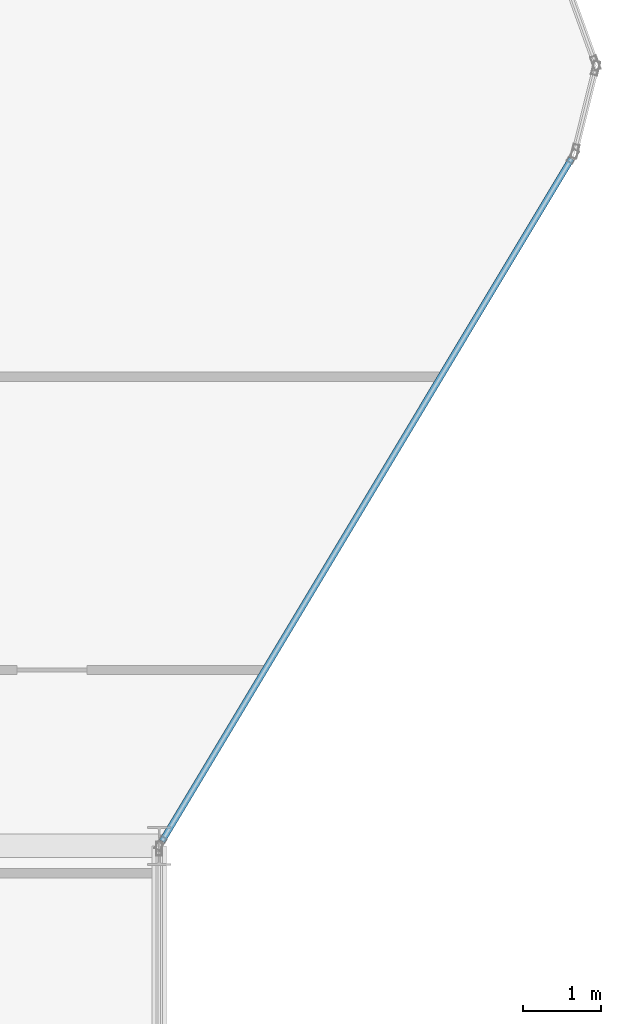
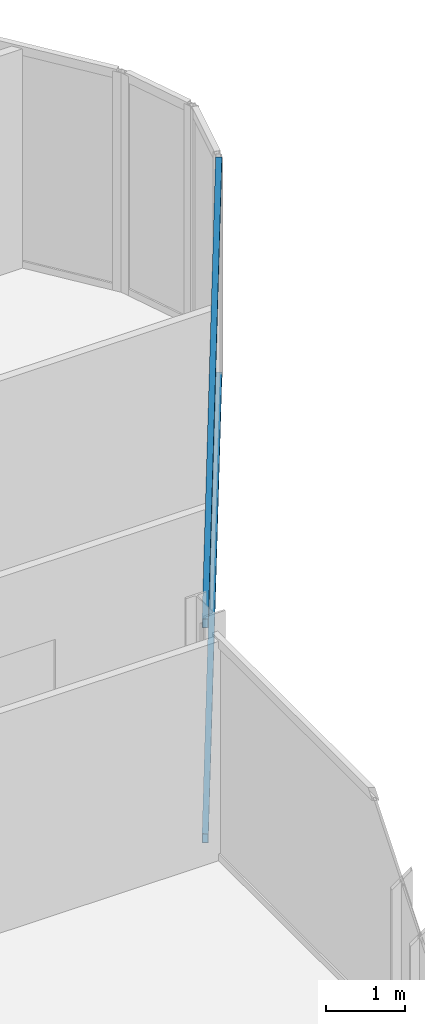
# One storey, part 14 of 32: 2 members, 1 element without a shape of its own.
"""IFC4 building model written with IfcOpenShell, lengths in metres."""

from ifc_helpers import new_model, si_unit, direction, frame, origin, origin_2d, place, context, subcontext, project, spatial, hollow_rectangle, extrude, material, layer, layer_set, material_profile, profile_set, type_object, element, aggregate, save


model = new_model("IFC4")

# Units and contexts
model_context = context("Model", 3, precision=1e-05, world=origin(), true_north=direction((0.0, 1.0)))
body_context = subcontext(model_context, "Body", "Model", "MODEL_VIEW")
ifc_project = project(units=[si_unit("LENGTHUNIT", "METRE"), si_unit("AREAUNIT", "SQUARE_METRE"), si_unit("VOLUMEUNIT", "CUBIC_METRE"), si_unit("PLANEANGLEUNIT", "RADIAN"), si_unit("MASSUNIT", "GRAM", prefix="KILO")], contexts=[model_context])

# Site, building, storey
site_placement = place(None, origin())
site = spatial("IfcSite", under=ifc_project, at=site_placement, CompositionType="ELEMENT")
building_placement = place(site_placement, origin())
building = spatial("IfcBuilding", under=site, at=building_placement, Name="Keshet Zoharim Tower", CompositionType="ELEMENT")
storey_placement = place(building_placement, frame((0.0, 0.0, 152.0)))
storey = spatial("IfcBuildingStorey", under=building, at=storey_placement, Name="L37", CompositionType="ELEMENT", Elevation=152.0)

# Curtain wall, members
ifc_material = material(Name="Aluminium 6063-T6", Category="aluminium")
ifc_layer = layer(ifc_material, 0.159912109375)
ifc_layer_set = layer_set([ifc_layer], Name="Aluminium 6063-T6")
curtain_wall_type = type_object("IfcCurtainWallType", Name="CW-SYS-03", PredefinedType="NOTDEFINED", material=ifc_layer_set)
curtain_wall_placement = place(storey_placement, origin())
curtain_wall = element("IfcCurtainWall", 1, at=curtain_wall_placement, inside=storey, type_object=curtain_wall_type, Name="L37 Unitised Curtain Wall 18", PredefinedType="NOTDEFINED")
ifc_material_profile = material_profile(ifc_material, hollow_rectangle(XDim=0.080078125, YDim=0.139892578125, WallThickness=0.00390625, at=origin_2d()), Name="TRN-80x140")
ifc_profile_set = profile_set([ifc_material_profile], Name="Aluminium 6063-T6")
member_type = type_object("IfcMemberType", Name="CWT-T14", PredefinedType="USERDEFINED", material=ifc_profile_set)
member_1_placement = place(storey_placement, frame((62.27197265625, 36.68701171875, 0.034912109375), z_axis=(-0.514467532827, -0.857509858641, 0.0), x_axis=(0.857509858641, -0.514467532827, 0.0)))
member_1 = element("IfcMember", 2, at=member_1_placement, type_object=member_type, Name="CW-03 transom 1.1", ObjectType="TRANSOM", PredefinedType="USERDEFINED", context=body_context, shape_type="SweptSolid", body=[
    extrude(hollow_rectangle(XDim=0.080078125, YDim=0.139892578125, WallThickness=0.00390625, at=origin_2d()), origin(), (0.0, 0.0, 1.0), 10.17724609375),
])
member_2_placement = place(storey_placement, frame((62.27197265625, 36.68701171875, 3.35009765625), z_axis=(-0.514467532827, -0.857509858641, 0.0), x_axis=(0.857509858641, -0.514467532827, 0.0)))
member_2 = element("IfcMember", 3, at=member_2_placement, type_object=member_type, Name="CW-03 transom 1.2", ObjectType="TRANSOM", PredefinedType="USERDEFINED", context=body_context, shape_type="SweptSolid", body=[
    extrude(hollow_rectangle(XDim=0.080078125, YDim=0.139892578125, WallThickness=0.00390625, at=origin_2d()), origin(), (0.0, 0.0, 1.0), 10.17724609375),
])
aggregate(curtain_wall, [member_1, member_2])

save(model, "model.ifc")
